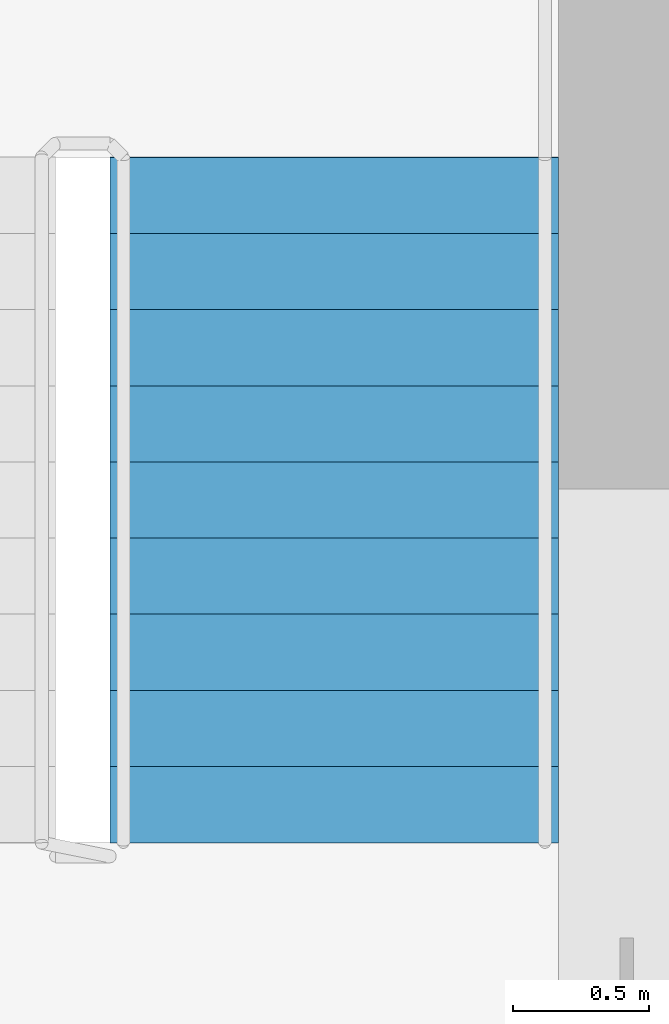
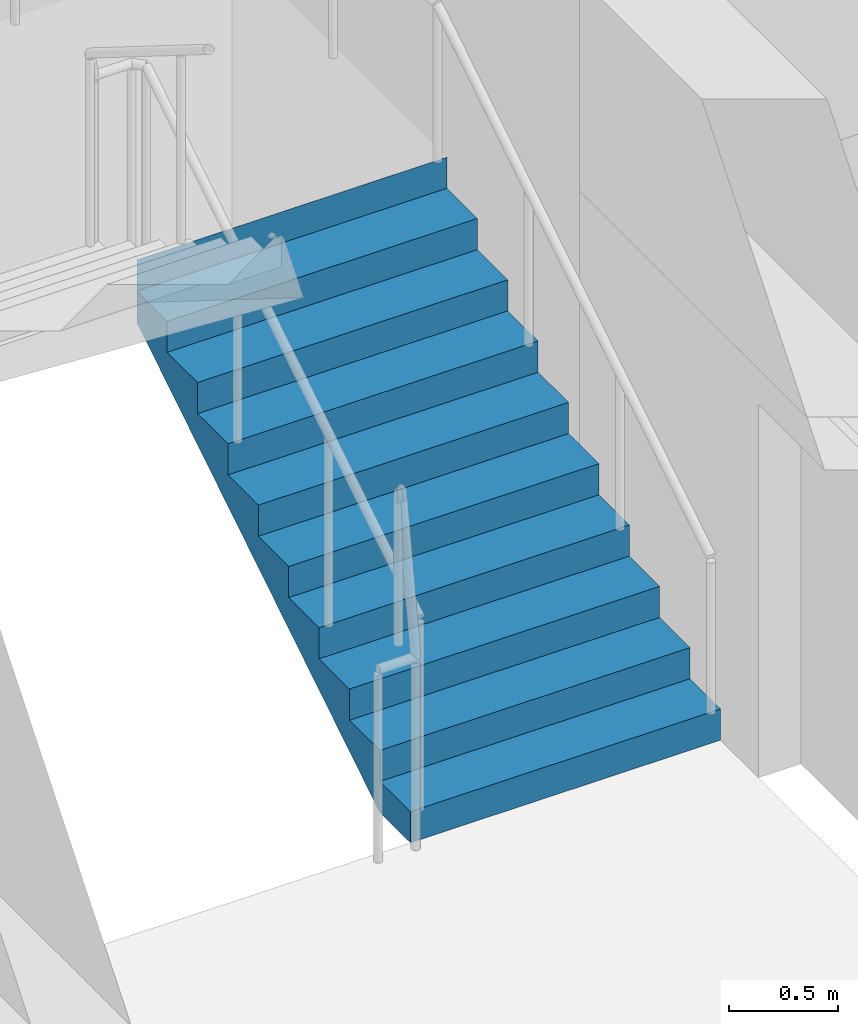
# One storey, part 10 of 11: 1 stair flight, 1 element without a shape of its own.
"""IFC4 building model written with IfcOpenShell, lengths in metres."""

from ifc_helpers import new_model, si_unit, direction, frame, origin, place, context, subcontext, project, spatial, polyline, outline, extrude, material, type_object, element, aggregate, save


model = new_model("IFC4")

# Units and contexts
model_context = context("Model", 3, precision=1e-05, world=origin(), true_north=direction((0.0, 1.0)))
body_context = subcontext(model_context, "Body", "Model", "MODEL_VIEW")
ifc_project = project(units=[si_unit("LENGTHUNIT", "METRE"), si_unit("AREAUNIT", "SQUARE_METRE"), si_unit("VOLUMEUNIT", "CUBIC_METRE"), si_unit("PLANEANGLEUNIT", "RADIAN"), si_unit("MASSUNIT", "GRAM", prefix="KILO")], contexts=[model_context])

# Site, building, storey
site_placement = place(None, origin())
site = spatial("IfcSite", under=ifc_project, at=site_placement, CompositionType="ELEMENT")
building_placement = place(site_placement, origin())
building = spatial("IfcBuilding", under=site, at=building_placement, Name="Tamorin Gate", CompositionType="ELEMENT")
storey_placement = place(building_placement, frame((0.0, 0.0, 244.199951171875)))
storey = spatial("IfcBuildingStorey", under=building, at=storey_placement, Name="L61", CompositionType="ELEMENT", Elevation=244.199951171875)

# Stair, stair flight
ifc_material = material(Name="Concrete C40/50", Category="concrete")
stair_type = type_object("IfcStairType", Name="Exit stair", PredefinedType="HALF_TURN_STAIR", material=ifc_material)
stair_placement = place(storey_placement, origin())
stair = element("IfcStair", 1, at=stair_placement, inside=storey, type_object=stair_type, Name="L61 stair ST2", PredefinedType="HALF_TURN_STAIR")
stair_flight_type = type_object("IfcStairFlightType", Name="Exit stair flight", PredefinedType="STRAIGHT", material=ifc_material)
stair_flight_placement = place(storey_placement, frame((33.675048828125, 77.0, 0.0), z_axis=(0.0, 0.0, 1.0), x_axis=(0.0, 1.0, 0.0)))
stair_flight = element("IfcStairFlight", 2, at=stair_flight_placement, type_object=stair_flight_type, Name="ST2 flight 1", NumberOfRisers=10, NumberOfTreads=9, PredefinedType="STRAIGHT", RiserHeight=0.175, TreadLength=0.28, context=body_context, shape_type="SweptSolid", body=[
    extrude(outline(polyline([(-0.00048828125, 0.0), (-0.00048828125, 0.001708984375), (-0.00048828125, 0.00341796875), (-0.00048828125, 0.005126953125), (-0.00048828125, 0.0068359375), (-0.00048828125, 0.008544921875), (-0.00048828125, 0.010498046875), (-0.00048828125, 0.01220703125), (-0.00048828125, 0.013916015625), (-0.00048828125, 0.015625), (-0.00048828125, 0.017333984375), (-0.00048828125, 0.01904296875), (-0.00048828125, 0.020751953125), (-0.00048828125, 0.0224609375), (-0.00048828125, 0.024169921875), (-0.00048828125, 0.02587890625), (-0.00048828125, 0.02783203125), (-0.00048828125, 0.029541015625), (-0.00048828125, 0.03125), (-0.00048828125, 0.032958984375), (-0.00048828125, 0.03466796875), (-0.00048828125, 0.036376953125), (-0.00048828125, 0.0380859375), (-0.00048828125, 0.039794921875), (-0.00048828125, 0.04150390625), (-0.00048828125, 0.043212890625), (-0.00048828125, 0.045166015625), (-0.00048828125, 0.046875), (-0.00048828125, 0.048583984375), (-0.00048828125, 0.05029296875), (-0.00048828125, 0.052001953125), (-0.00048828125, 0.0537109375), (-0.00048828125, 0.055419921875), (-0.00048828125, 0.05712890625), (-0.00048828125, 0.058837890625), (-0.00048828125, 0.060546875), (-0.00048828125, 0.062255859375), (-0.00048828125, 0.064208984375), (-0.00048828125, 0.06591796875), (-0.00048828125, 0.067626953125), (-0.00048828125, 0.0693359375), (-0.00048828125, 0.071044921875), (-0.00048828125, 0.07275390625), (-0.00048828125, 0.074462890625), (-0.00048828125, 0.076171875), (-0.00048828125, 0.077880859375), (-0.00048828125, 0.07958984375), (-0.00048828125, 0.08154296875), (-0.00048828125, 0.083251953125), (-0.00048828125, 0.0849609375), (-0.00048828125, 0.086669921875), (-0.00048828125, 0.08837890625), (-0.00048828125, 0.090087890625), (-0.00048828125, 0.091796875), (-0.00048828125, 0.093505859375), (-0.00048828125, 0.09521484375), (-0.00048828125, 0.096923828125), (-0.00048828125, 0.098876953125), (-0.00048828125, 0.1005859375), (-0.00048828125, 0.102294921875), (-0.00048828125, 0.10400390625), (-0.00048828125, 0.105712890625), (-0.00048828125, 0.107421875), (-0.00048828125, 0.109130859375), (-0.00048828125, 0.11083984375), (-0.00048828125, 0.112548828125), (-0.00048828125, 0.1142578125), (-0.00048828125, 0.1162109375), (-0.00048828125, 0.117919921875), (-0.00048828125, 0.11962890625), (-0.00048828125, 0.121337890625), (-0.00048828125, 0.123046875), (-0.00048828125, 0.124755859375), (-0.00048828125, 0.12646484375), (-0.00048828125, 0.128173828125), (-0.00048828125, 0.1298828125), (-0.00048828125, 0.131591796875), (-0.00048828125, 0.13330078125), (-0.00048828125, 0.13525390625), (-0.00048828125, 0.136962890625), (-0.00048828125, 0.138671875), (-0.00048828125, 0.140380859375), (-0.00048828125, 0.14208984375), (-0.00048828125, 0.143798828125), (-0.00048828125, 0.1455078125), (-0.00048828125, 0.147216796875), (-0.00048828125, 0.14892578125), (-0.00048828125, 0.150634765625), (-0.00048828125, 0.152587890625), (-0.00048828125, 0.154296875), (-0.00048828125, 0.156005859375), (-0.00048828125, 0.15771484375), (-0.00048828125, 0.159423828125), (-0.00048828125, 0.1611328125), (-0.00048828125, 0.162841796875), (-0.00048828125, 0.16455078125), (-0.00048828125, 0.166259765625), (-0.00048828125, 0.16796875), (-0.00048828125, 0.169921875), (-0.00048828125, 0.171630859375), (-0.00048828125, 0.17333984375), (-0.00048828125, 0.175048828125), (0.280029296875, 0.175048828125), (0.280029296875, 0.35009765625), (0.56005859375, 0.35009765625), (0.56005859375, 0.52490234375), (0.840087890625, 0.52490234375), (0.840087890625, 0.699951171875), (1.1201171875, 0.699951171875), (1.1201171875, 0.875), (1.39990234375, 0.875), (1.39990234375, 1.050048828125), (1.679931640625, 1.050048828125), (1.679931640625, 1.22509765625), (1.9599609375, 1.22509765625), (1.9599609375, 1.39990234375), (2.239990234375, 1.39990234375), (2.239990234375, 1.574951171875), (2.52001953125, 1.574951171875), (2.52001953125, 1.75), (2.5205078125, 1.75), (2.5205078125, 1.74658203125), (2.5205078125, 1.742919921875), (2.5205078125, 1.739501953125), (2.5205078125, 1.736083984375), (2.5205078125, 1.732666015625), (2.5205078125, 1.72900390625), (2.5205078125, 1.7255859375), (2.5205078125, 1.72216796875), (2.5205078125, 1.71875), (2.5205078125, 1.715087890625), (2.5205078125, 1.711669921875), (2.5205078125, 1.708251953125), (2.5205078125, 1.704833984375), (2.5205078125, 1.701171875), (2.5205078125, 1.69775390625), (2.5205078125, 1.6943359375), (2.5205078125, 1.690673828125), (2.5205078125, 1.687255859375), (2.5205078125, 1.683837890625), (2.5205078125, 1.680419921875), (2.5205078125, 1.6767578125), (2.5205078125, 1.67333984375), (2.5205078125, 1.669921875), (2.5205078125, 1.66650390625), (2.5205078125, 1.662841796875), (2.5205078125, 1.659423828125), (2.5205078125, 1.656005859375), (2.5205078125, 1.652587890625), (2.5205078125, 1.64892578125), (2.5205078125, 1.6455078125), (2.5205078125, 1.64208984375), (2.5205078125, 1.638427734375), (2.5205078125, 1.635009765625), (2.5205078125, 1.631591796875), (2.5205078125, 1.628173828125), (2.5205078125, 1.62451171875), (2.5205078125, 1.62109375), (2.5205078125, 1.61767578125), (2.5205078125, 1.6142578125), (2.5205078125, 1.610595703125), (2.5205078125, 1.607177734375), (2.5205078125, 1.603759765625), (2.5205078125, 1.600341796875), (2.5205078125, 1.5966796875), (2.5205078125, 1.59326171875), (2.5205078125, 1.58984375), (2.5205078125, 1.58642578125), (2.5205078125, 1.582763671875), (2.5205078125, 1.579345703125), (2.5205078125, 1.575927734375), (2.5205078125, 1.572265625), (2.5205078125, 1.56884765625), (2.5205078125, 1.5654296875), (2.5205078125, 1.56201171875), (2.5205078125, 1.558349609375), (2.5205078125, 1.554931640625), (2.5205078125, 1.551513671875), (2.5205078125, 1.548095703125), (2.5205078125, 1.54443359375), (2.5205078125, 1.541015625), (2.5205078125, 1.53759765625), (2.5205078125, 1.5341796875), (2.5205078125, 1.530517578125), (2.5205078125, 1.527099609375), (2.5205078125, 1.523681640625), (2.5205078125, 1.52001953125), (2.5205078125, 1.5166015625), (2.5205078125, 1.51318359375), (2.5205078125, 1.509765625), (2.5205078125, 1.506103515625), (2.5205078125, 1.502685546875), (2.5205078125, 1.499267578125), (2.5205078125, 1.495849609375), (2.5205078125, 1.4921875), (2.5205078125, 1.48876953125), (2.5205078125, 1.4853515625), (2.5205078125, 1.48193359375), (2.5205078125, 1.478271484375), (2.5205078125, 1.474853515625), (2.5205078125, 1.471435546875), (2.5205078125, 1.4677734375), (2.5205078125, 1.46435546875), (2.5205078125, 1.4609375), (2.5205078125, 1.45751953125), (2.5205078125, 1.453857421875), (2.5205078125, 1.450439453125), (2.5205078125, 1.447021484375), (2.5205078125, 1.443603515625), (2.5205078125, 1.43994140625), (2.5205078125, 1.4365234375), (2.5205078125, 1.43310546875), (2.5205078125, 1.4296875), (2.5205078125, 1.426025390625), (2.5205078125, 1.422607421875), (2.5205078125, 1.419189453125), (2.5205078125, 1.41552734375), (2.5205078125, 1.412109375), (2.5205078125, 1.40869140625), (2.5205078125, 1.4052734375), (2.5205078125, 1.401611328125), (2.5205078125, 1.398193359375), (2.52001953125, 1.398193359375), (0.28271484375, 0.0), (-0.00048828125, 0.0)])), frame((0.0, 0.824951171875, 0.0), z_axis=(0.0, -1.0, 0.0), x_axis=(1.0, 0.0, 0.0)), (0.0, 0.0, 1.0), 1.64990234375),
])
aggregate(stair, [stair_flight])

save(model, "model.ifc")
